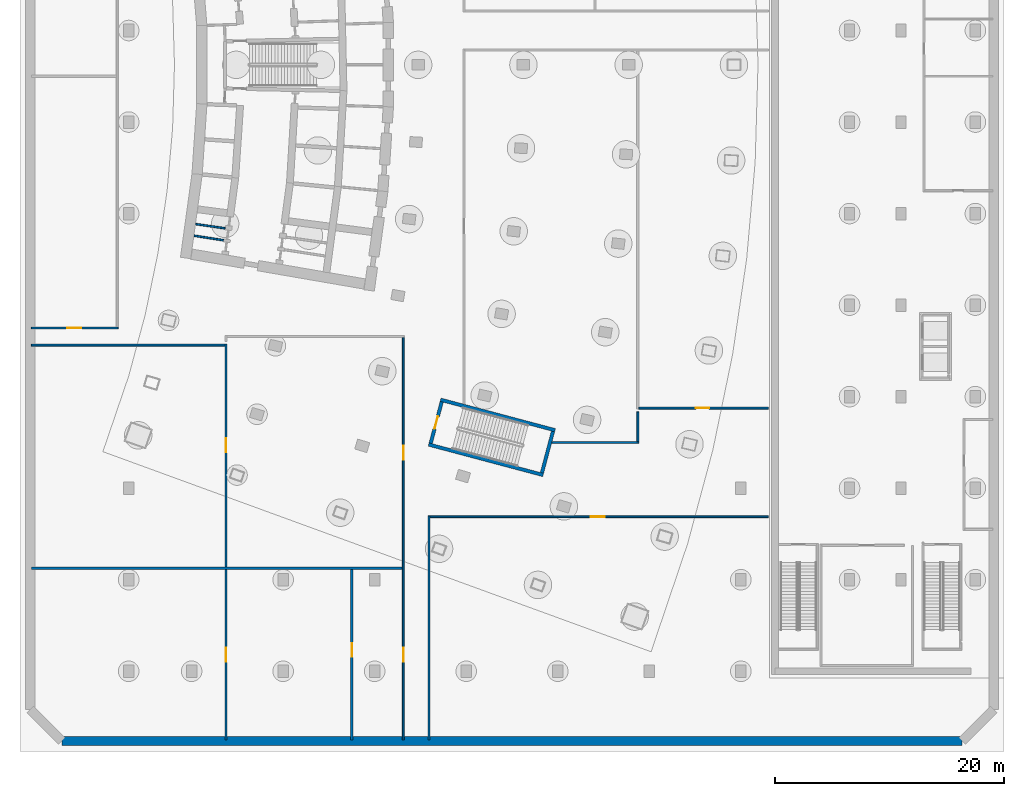
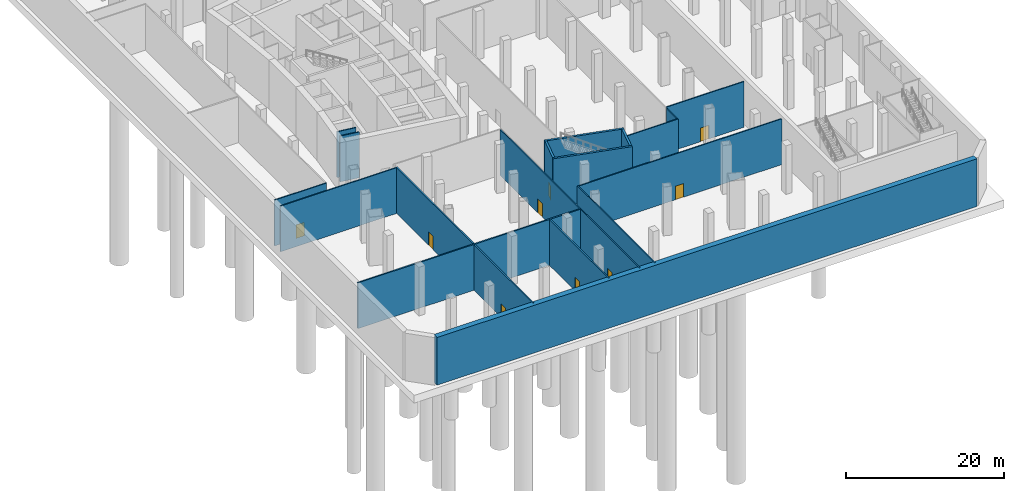
# One storey, part 3 of 19: 18 walls, 9 doors, 9 openings.
"""IFC4 building model written with IfcOpenShell, lengths in metres."""

from ifc_helpers import new_model, si_unit, direction, frame, frame_2d, origin, place, context, subcontext, project, spatial, rectangle, extrude, material, layer, layer_set, type_object, element, fill, save


model = new_model("IFC4")

# Units and contexts
model_context = context("Model", 3, precision=1e-05, world=origin(), true_north=direction((0.0, 1.0)))
body_context = subcontext(model_context, "Body", "Model", "MODEL_VIEW")
ifc_project = project(units=[si_unit("LENGTHUNIT", "METRE"), si_unit("AREAUNIT", "SQUARE_METRE"), si_unit("VOLUMEUNIT", "CUBIC_METRE"), si_unit("PLANEANGLEUNIT", "RADIAN"), si_unit("MASSUNIT", "GRAM", prefix="KILO")], contexts=[model_context])

# Site, building, storey
site_placement = place(None, origin())
site = spatial("IfcSite", under=ifc_project, at=site_placement, CompositionType="ELEMENT")
building_placement = place(site_placement, origin())
building = spatial("IfcBuilding", under=site, at=building_placement, Name="Alderwake Tower", CompositionType="ELEMENT")
storey_placement = place(building_placement, frame((0.0, 0.0, -14.0)))
storey = spatial("IfcBuildingStorey", under=building, at=storey_placement, Name="B2", CompositionType="ELEMENT", Elevation=-14.0)

# Walls
ifc_material_1 = material(Name="Concrete C50/60", Category="concrete")
ifc_layer_1 = layer(ifc_material_1, 0.800048828125)
ifc_layer_set_1 = layer_set([ifc_layer_1], Name="Basement retaining wall 800")
wall_type_1 = type_object("IfcWallType", Name="Basement retaining wall 800", PredefinedType="SOLIDWALL", material=ifc_layer_set_1)
wall_1_placement = place(storey_placement, frame((83.334228515625, 1.89990234375, -0.300048828125), z_axis=(0.0, 0.0, 1.0), x_axis=(-1.0, 0.0, 0.0)))
element("IfcWall", 1, at=wall_1_placement, inside=storey, type_object=wall_type_1, Name="Retaining wall 8", PredefinedType="SOLIDWALL", context=body_context, shape_type="SweptSolid", body=[
    extrude(rectangle(XDim=78.66845703125, YDim=0.800048828125, at=frame_2d((39.334228515625, 0.0))), origin(), (0.0, 0.0, 1.0), 7.35009765625),
])
ifc_material_2 = material(Name="Gypsum shaft wall system, rated")
ifc_layer_2 = layer(ifc_material_2, 0.14990234375)
ifc_layer_set_2 = layer_set([ifc_layer_2], Name="Core room partition 150")
wall_type_2 = type_object("IfcWallType", Name="Core room partition 150", PredefinedType="PARTITIONING", material=ifc_layer_set_2)
wall_2_placement = place(storey_placement, frame((16.2216796875, 46.0673828125, 0.0), z_axis=(0.0, 0.0, 1.0), x_axis=(0.988167260949, -0.153380130356, 0.0)))
element("IfcWall", 2, at=wall_2_placement, inside=storey, type_object=wall_type_2, Name="CW/B2/PR-161_+0", PredefinedType="PARTITIONING", context=body_context, shape_type="SweptSolid", body=[
    extrude(rectangle(XDim=2.593017578125, YDim=0.14990234375, at=frame_2d((1.29638671875, 0.0))), origin(), (0.0, 0.0, 1.0), 7.050048828125),
])
wall_3_placement = place(storey_placement, frame((16.361328125, 47.08203125, 0.0), z_axis=(0.0, 0.0, 1.0), x_axis=(0.989733250733, -0.142926877787, 0.0)))
element("IfcWall", 3, at=wall_3_placement, inside=storey, type_object=wall_type_2, Name="CW/B2/PR-150_+0", PredefinedType="PARTITIONING", context=body_context, shape_type="SweptSolid", body=[
    extrude(rectangle(XDim=2.587890625, YDim=0.14990234375, at=frame_2d((1.2939453125, 0.0))), origin(), (0.0, 0.0, 1.0), 7.050048828125),
])
ifc_material_3 = material(Name="Concrete C70/85", Category="concrete")
ifc_layer_3 = layer(ifc_material_3, 0.300048828125)
ifc_layer_set_3 = layer_set([ifc_layer_3], Name="Core wall stair enclosure 300 C70-85")
wall_type_3 = type_object("IfcWallType", Name="Core wall stair enclosure 300 C70-85", PredefinedType="SHEAR", material=ifc_layer_set_3)
for number, where, z_axis, x_axis, name in (
    (4, (37.75390625, 31.731201171875, 0.0), (0.0, 0.0, 1.0), (0.966309214305, -0.257383958996, 0.0), "Core wall CW.086"),
    (5, (36.71142578125, 27.817626953125, 0.0), (0.0, 0.0, 1.0), (0.966309214305, -0.257383958996, 0.0), "Core wall CW.088"),
):
    element("IfcWall", number, at=place(storey_placement, frame(where, z_axis=z_axis, x_axis=x_axis)), inside=storey, type_object=wall_type_3, Name=name, PredefinedType="SHEAR", context=body_context, shape_type="SweptSolid", body=[
        extrude(rectangle(XDim=10.360107421875, YDim=0.300048828125, at=frame_2d((5.18017578125, 0.0))), origin(), (0.0, 0.0, 1.0), 7.5),
    ])

# Wall, opening, door
wall_4_placement = place(storey_placement, frame((36.89501953125, 27.923828125, 0.0), z_axis=(0.0, 0.0, 1.0), x_axis=(0.257350630826, 0.966318090907, 0.0)))
wall_4 = element("IfcWall", 6, at=wall_4_placement, inside=storey, type_object=wall_type_3, Name="Core wall CW.087", PredefinedType="SHEAR", context=body_context, shape_type="SweptSolid", body=[
    extrude(rectangle(XDim=3.75, YDim=0.300048828125, at=frame_2d((1.875, 0.0))), origin(), (0.0, 0.0, 1.0), 7.5),
])
opening_1_placement = place(wall_4_placement, frame((1.324951171875, 0.0, 0.0)))
opening_1 = element("IfcOpeningElement", 7, at=opening_1_placement, cuts=wall_4, Name="Opening C065", PredefinedType="OPENING", context=body_context, shape_type="SweptSolid", body=[
    extrude(rectangle(XDim=1.10009765625, YDim=2.10009765625, at=frame_2d((0.550048828125, 1.050048828125))), frame((0.0, 0.159912109375, 0.0), z_axis=(0.0, -1.0, 0.0), x_axis=(1.0, 0.0, 0.0)), (0.0, 0.0, 1.0), 0.320068359375),
])
ifc_material_4 = material(Name="Steel-framed fire door leaf", Category="steel")
door_type_1 = type_object("IfcDoorType", Name="Core stair door 1100 fire-rated", OperationType="SINGLE_SWING_LEFT", PredefinedType="DOOR", material=ifc_material_4)
door_1_placement = place(opening_1_placement, origin())
door_1 = element("IfcDoor", 8, at=door_1_placement, inside=storey, type_object=door_type_1, Name="Stair door", OperationType="SINGLE_SWING_LEFT", OverallHeight=2.10009765625, OverallWidth=1.10009765625, PredefinedType="DOOR", context=body_context, shape_type="SweptSolid", body=[
    extrude(rectangle(XDim=1.10009765625, YDim=2.10009765625, at=frame_2d((0.550048828125, 1.050048828125))), frame((0.0, 0.02490234375, 0.0), z_axis=(0.0, -1.0, 0.0), x_axis=(1.0, 0.0, 0.0)), (0.0, 0.0, 1.0), 0.050048828125),
])
fill(opening_1, door_1)

# Walls
wall_5_placement = place(storey_placement, frame((46.6162109375, 25.334716796875, 0.0), z_axis=(0.0, 0.0, 1.0), x_axis=(0.257366821694, 0.966313778796, 0.0)))
element("IfcWall", 9, at=wall_5_placement, inside=storey, type_object=wall_type_3, Name="Core wall CW.085", PredefinedType="SHEAR", context=body_context, shape_type="SweptSolid", body=[
    extrude(rectangle(XDim=3.749755859375, YDim=0.300048828125, at=frame_2d((1.875, 0.0))), origin(), (0.0, 0.0, 1.0), 7.5),
])
ifc_material_5 = material(Name="Gypsum board on metal studs, rated")
ifc_layer_4 = layer(ifc_material_5, 0.159912109375)
ifc_layer_set_4 = layer_set([ifc_layer_4], Name="Corridor wall 160")
wall_type_4 = type_object("IfcWallType", Name="Corridor wall 160", PredefinedType="PARTITIONING", material=ifc_layer_set_4)
wall_6_placement = place(storey_placement, frame((2.0009765625, 36.5009765625, 0.0), z_axis=(0.0, 0.0, 1.0), x_axis=(1.0, 0.0, 0.0)))
element("IfcWall", 10, at=wall_6_placement, inside=storey, type_object=wall_type_4, Name="WL/B2/W33", PredefinedType="PARTITIONING", context=body_context, shape_type="SweptSolid", body=[
    extrude(rectangle(XDim=16.89794921875, YDim=0.159912109375, at=frame_2d((8.448974609375, 0.0))), origin(), (0.0, 0.0, 1.0), 7.050048828125),
])

# Wall, opening, door
wall_7_placement = place(storey_placement, frame((9.5810546875, 38.0009765625, 0.0), z_axis=(0.0, 0.0, 1.0), x_axis=(-1.0, 0.0, 0.0)))
wall_7 = element("IfcWall", 11, at=wall_7_placement, inside=storey, type_object=wall_type_4, Name="WL/B2/W35", PredefinedType="PARTITIONING", context=body_context, shape_type="SweptSolid", body=[
    extrude(rectangle(XDim=7.580078125, YDim=0.159912109375, at=frame_2d((3.7900390625, 0.0))), origin(), (0.0, 0.0, 1.0), 7.050048828125),
])
opening_2_placement = place(wall_7_placement, frame((3.23095703125, 0.0, 0.0)))
opening_2 = element("IfcOpeningElement", 12, at=opening_2_placement, cuts=wall_7, Name="Opening B2-30", PredefinedType="OPENING", context=body_context, shape_type="SweptSolid", body=[
    extrude(rectangle(XDim=1.199951171875, YDim=2.10009765625, at=frame_2d((0.60009765625, 1.050048828125))), frame((0.0, 0.08984375, 0.0), z_axis=(0.0, -1.0, 0.0), x_axis=(1.0, 0.0, 0.0)), (0.0, 0.0, 1.0), 0.179931640625),
])
ifc_material_6 = material(Name="Steel door leaf in steel frame", Category="steel")
door_type_2 = type_object("IfcDoorType", Name="Plant room door 1200 steel", OperationType="SINGLE_SWING_LEFT", PredefinedType="DOOR", material=ifc_material_6)
door_2_placement = place(opening_2_placement, origin())
door_2 = element("IfcDoor", 13, at=door_2_placement, inside=storey, type_object=door_type_2, Name="DR/B2/30", OperationType="SINGLE_SWING_LEFT", OverallHeight=2.10009765625, OverallWidth=1.199951171875, PredefinedType="DOOR", context=body_context, shape_type="SweptSolid", body=[
    extrude(rectangle(XDim=1.199951171875, YDim=2.10009765625, at=frame_2d((0.60009765625, 1.050048828125))), frame((0.0, 0.02490234375, 0.0), z_axis=(0.0, -1.0, 0.0), x_axis=(1.0, 0.0, 0.0)), (0.0, 0.0, 1.0), 0.050048828125),
])
fill(opening_2, door_2)

# Wall, openings, doors
wall_8_placement = place(storey_placement, frame((34.5, 37.1708984375, 0.0), z_axis=(0.0, 0.0, 1.0), x_axis=(0.0, -1.0, 0.0)))
wall_8 = element("IfcWall", 14, at=wall_8_placement, inside=storey, type_object=wall_type_4, Name="WL/B2/W41", PredefinedType="PARTITIONING", context=body_context, shape_type="SweptSolid", body=[
    extrude(rectangle(XDim=35.169921875, YDim=0.159912109375, at=frame_2d((17.5849609375, 0.0))), origin(), (0.0, 0.0, 1.0), 7.050048828125),
])
opening_3_placement = place(wall_8_placement, frame((27.12109375, 0.0, 0.0)))
opening_3 = element("IfcOpeningElement", 15, at=opening_3_placement, cuts=wall_8, Name="Opening B2-16", PredefinedType="OPENING", context=body_context, shape_type="SweptSolid", body=[
    extrude(rectangle(XDim=1.199951171875, YDim=2.10009765625, at=frame_2d((0.60009765625, 1.050048828125))), frame((0.0, 0.08984375, 0.0), z_axis=(0.0, -1.0, 0.0), x_axis=(1.0, 0.0, 0.0)), (0.0, 0.0, 1.0), 0.179931640625),
])
opening_4_placement = place(wall_8_placement, frame((9.470947265625, 0.0, 0.0)))
opening_4 = element("IfcOpeningElement", 16, at=opening_4_placement, cuts=wall_8, Name="Opening B2-18", PredefinedType="OPENING", context=body_context, shape_type="SweptSolid", body=[
    extrude(rectangle(XDim=1.199951171875, YDim=2.10009765625, at=frame_2d((0.60009765625, 1.050048828125))), frame((0.0, 0.08984375, 0.0), z_axis=(0.0, -1.0, 0.0), x_axis=(1.0, 0.0, 0.0)), (0.0, 0.0, 1.0), 0.179931640625),
])
door_3_placement = place(opening_3_placement, origin())
door_3 = element("IfcDoor", 17, at=door_3_placement, inside=storey, type_object=door_type_2, Name="DR/B2/16", OperationType="SINGLE_SWING_LEFT", OverallHeight=2.10009765625, OverallWidth=1.199951171875, PredefinedType="DOOR", context=body_context, shape_type="SweptSolid", body=[
    extrude(rectangle(XDim=1.199951171875, YDim=2.10009765625, at=frame_2d((0.60009765625, 1.050048828125))), frame((0.0, 0.02490234375, 0.0), z_axis=(0.0, -1.0, 0.0), x_axis=(1.0, 0.0, 0.0)), (0.0, 0.0, 1.0), 0.050048828125),
])
fill(opening_3, door_3)
door_4_placement = place(opening_4_placement, origin())
door_4 = element("IfcDoor", 18, at=door_4_placement, inside=storey, type_object=door_type_2, Name="DR/B2/18", OperationType="SINGLE_SWING_LEFT", OverallHeight=2.10009765625, OverallWidth=1.199951171875, PredefinedType="DOOR", context=body_context, shape_type="SweptSolid", body=[
    extrude(rectangle(XDim=1.199951171875, YDim=2.10009765625, at=frame_2d((0.60009765625, 1.050048828125))), frame((0.0, 0.02490234375, 0.0), z_axis=(0.0, -1.0, 0.0), x_axis=(1.0, 0.0, 0.0)), (0.0, 0.0, 1.0), 0.050048828125),
])
fill(opening_4, door_4)

# Wall
wall_9_placement = place(storey_placement, frame((36.75, 2.0009765625, 0.0), z_axis=(0.0, 0.0, 1.0), x_axis=(0.0, 1.0, 0.0)))
element("IfcWall", 19, at=wall_9_placement, inside=storey, type_object=wall_type_4, Name="WL/B2/W44", PredefinedType="PARTITIONING", context=body_context, shape_type="SweptSolid", body=[
    extrude(rectangle(XDim=19.580078125, YDim=0.159912109375, at=frame_2d((9.7900390625, 0.0))), origin(), (0.0, 0.0, 1.0), 7.050048828125),
])

# Wall, opening, door
wall_10_placement = place(storey_placement, frame((36.830078125, 21.5009765625, 0.0), z_axis=(0.0, 0.0, 1.0), x_axis=(1.0, 0.0, 0.0)))
wall_10 = element("IfcWall", 20, at=wall_10_placement, inside=storey, type_object=wall_type_4, Name="WL/B2/W45", PredefinedType="PARTITIONING", context=body_context, shape_type="SweptSolid", body=[
    extrude(rectangle(XDim=29.56884765625, YDim=0.159912109375, at=frame_2d((14.784423828125, 0.0))), origin(), (0.0, 0.0, 1.0), 7.050048828125),
])
opening_5_placement = place(wall_10_placement, frame((14.070068359375, 0.0, 0.0)))
opening_5 = element("IfcOpeningElement", 21, at=opening_5_placement, cuts=wall_10, Name="Opening B2-23", PredefinedType="OPENING", context=body_context, shape_type="SweptSolid", body=[
    extrude(rectangle(XDim=1.199951171875, YDim=2.10009765625, at=frame_2d((0.60009765625, 1.050048828125))), frame((0.0, 0.08984375, 0.0), z_axis=(0.0, -1.0, 0.0), x_axis=(1.0, 0.0, 0.0)), (0.0, 0.0, 1.0), 0.179931640625),
])
door_5_placement = place(opening_5_placement, origin())
door_5 = element("IfcDoor", 22, at=door_5_placement, inside=storey, type_object=door_type_2, Name="DR/B2/23", OperationType="SINGLE_SWING_LEFT", OverallHeight=2.10009765625, OverallWidth=1.199951171875, PredefinedType="DOOR", context=body_context, shape_type="SweptSolid", body=[
    extrude(rectangle(XDim=1.199951171875, YDim=2.10009765625, at=frame_2d((0.60009765625, 1.050048828125))), frame((0.0, 0.02490234375, 0.0), z_axis=(0.0, -1.0, 0.0), x_axis=(1.0, 0.0, 0.0)), (0.0, 0.0, 1.0), 0.050048828125),
])
fill(opening_5, door_5)

# Walls
wall_11_placement = place(storey_placement, frame((55.0791015625, 27.9990234375, 0.0), z_axis=(0.0, 0.0, 1.0), x_axis=(-1.0, 0.0, 0.0)))
element("IfcWall", 23, at=wall_11_placement, inside=storey, type_object=wall_type_4, Name="WL/B2/W54", PredefinedType="PARTITIONING", context=body_context, shape_type="SweptSolid", body=[
    extrude(rectangle(XDim=7.59814453125, YDim=0.159912109375, at=frame_2d((3.799072265625, 0.0))), origin(), (0.0, 0.0, 1.0), 7.050048828125),
])
wall_12_placement = place(storey_placement, frame((54.9990234375, 30.665771484375, 0.0), z_axis=(0.0, 0.0, 1.0), x_axis=(0.0, -1.0, 0.0)))
element("IfcWall", 24, at=wall_12_placement, inside=storey, type_object=wall_type_4, Name="WL/B2/W55", PredefinedType="PARTITIONING", context=body_context, shape_type="SweptSolid", body=[
    extrude(rectangle(XDim=2.586669921875, YDim=0.159912109375, at=frame_2d((1.29345703125, 0.0))), origin(), (0.0, 0.0, 1.0), 7.050048828125),
])

# Wall, opening, door
wall_13_placement = place(storey_placement, frame((66.39892578125, 30.9990234375, 0.0), z_axis=(0.0, 0.0, 1.0), x_axis=(-1.0, 0.0, 0.0)))
wall_13 = element("IfcWall", 25, at=wall_13_placement, inside=storey, type_object=wall_type_4, Name="WL/B2/W56", PredefinedType="PARTITIONING", context=body_context, shape_type="SweptSolid", body=[
    extrude(rectangle(XDim=11.2998046875, YDim=0.159912109375, at=frame_2d((5.64990234375, 0.0))), origin(), (0.0, 0.0, 1.0), 7.050048828125),
])
opening_6_placement = place(wall_13_placement, frame((5.14892578125, 0.0, 0.0)))
opening_6 = element("IfcOpeningElement", 26, at=opening_6_placement, cuts=wall_13, Name="Opening B2-25", PredefinedType="OPENING", context=body_context, shape_type="SweptSolid", body=[
    extrude(rectangle(XDim=1.199951171875, YDim=2.10009765625, at=frame_2d((0.60009765625, 1.050048828125))), frame((0.0, 0.08984375, 0.0), z_axis=(0.0, -1.0, 0.0), x_axis=(1.0, 0.0, 0.0)), (0.0, 0.0, 1.0), 0.179931640625),
])
door_6_placement = place(opening_6_placement, origin())
door_6 = element("IfcDoor", 27, at=door_6_placement, inside=storey, type_object=door_type_2, Name="DR/B2/25", OperationType="SINGLE_SWING_LEFT", OverallHeight=2.10009765625, OverallWidth=1.199951171875, PredefinedType="DOOR", context=body_context, shape_type="SweptSolid", body=[
    extrude(rectangle(XDim=1.199951171875, YDim=2.10009765625, at=frame_2d((0.60009765625, 1.050048828125))), frame((0.0, 0.02490234375, 0.0), z_axis=(0.0, -1.0, 0.0), x_axis=(1.0, 0.0, 0.0)), (0.0, 0.0, 1.0), 0.050048828125),
])
fill(opening_6, door_6)

# Wall
ifc_material_7 = material(Name="Dense block masonry wall", Category="masonry")
ifc_layer_5 = layer(ifc_material_7, 0.199951171875)
ifc_layer_set_5 = layer_set([ifc_layer_5], Name="Party wall 200")
wall_type_5 = type_object("IfcWallType", Name="Party wall 200", PredefinedType="SOLIDWALL", material=ifc_layer_set_5)
wall_14_placement = place(storey_placement, frame((2.0009765625, 17.0009765625, 0.0), z_axis=(0.0, 0.0, 1.0), x_axis=(1.0, 0.0, 0.0)))
element("IfcWall", 28, at=wall_14_placement, inside=storey, type_object=wall_type_5, Name="WL/B2/W01", PredefinedType="SOLIDWALL", context=body_context, shape_type="SweptSolid", body=[
    extrude(rectangle(XDim=32.4189453125, YDim=0.199951171875, at=frame_2d((16.20947265625, 0.0))), origin(), (0.0, 0.0, 1.0), 7.050048828125),
])

# Wall, openings, doors
wall_15_placement = place(storey_placement, frame((18.9990234375, 36.5810546875, 0.0), z_axis=(0.0, 0.0, 1.0), x_axis=(0.0, -1.0, 0.0)))
wall_15 = element("IfcWall", 29, at=wall_15_placement, inside=storey, type_object=wall_type_5, Name="WL/B2/W03", PredefinedType="SOLIDWALL", context=body_context, shape_type="SweptSolid", body=[
    extrude(rectangle(XDim=34.580078125, YDim=0.199951171875, at=frame_2d((17.2900390625, 0.0))), origin(), (0.0, 0.0, 1.0), 7.050048828125),
])
opening_7_placement = place(wall_15_placement, frame((26.531005859375, 0.0, 0.0)))
opening_7 = element("IfcOpeningElement", 30, at=opening_7_placement, cuts=wall_15, Name="Opening B2-14", PredefinedType="OPENING", context=body_context, shape_type="SweptSolid", body=[
    extrude(rectangle(XDim=1.199951171875, YDim=2.10009765625, at=frame_2d((0.60009765625, 1.050048828125))), frame((0.0, 0.10986328125, 0.0), z_axis=(0.0, -1.0, 0.0), x_axis=(1.0, 0.0, 0.0)), (0.0, 0.0, 1.0), 0.219970703125),
])
opening_8_placement = place(wall_15_placement, frame((8.23095703125, 0.0, 0.0)))
opening_8 = element("IfcOpeningElement", 31, at=opening_8_placement, cuts=wall_15, Name="Opening B2-17", PredefinedType="OPENING", context=body_context, shape_type="SweptSolid", body=[
    extrude(rectangle(XDim=1.199951171875, YDim=2.10009765625, at=frame_2d((0.60009765625, 1.050048828125))), frame((0.0, 0.10986328125, 0.0), z_axis=(0.0, -1.0, 0.0), x_axis=(1.0, 0.0, 0.0)), (0.0, 0.0, 1.0), 0.219970703125),
])
door_7_placement = place(opening_7_placement, origin())
door_7 = element("IfcDoor", 32, at=door_7_placement, inside=storey, type_object=door_type_2, Name="DR/B2/14", OperationType="SINGLE_SWING_LEFT", OverallHeight=2.10009765625, OverallWidth=1.199951171875, PredefinedType="DOOR", context=body_context, shape_type="SweptSolid", body=[
    extrude(rectangle(XDim=1.199951171875, YDim=2.10009765625, at=frame_2d((0.60009765625, 1.050048828125))), frame((0.0, 0.02490234375, 0.0), z_axis=(0.0, -1.0, 0.0), x_axis=(1.0, 0.0, 0.0)), (0.0, 0.0, 1.0), 0.050048828125),
])
fill(opening_7, door_7)
door_8_placement = place(opening_8_placement, origin())
door_8 = element("IfcDoor", 33, at=door_8_placement, inside=storey, type_object=door_type_2, Name="DR/B2/17", OperationType="SINGLE_SWING_LEFT", OverallHeight=2.10009765625, OverallWidth=1.199951171875, PredefinedType="DOOR", context=body_context, shape_type="SweptSolid", body=[
    extrude(rectangle(XDim=1.199951171875, YDim=2.10009765625, at=frame_2d((0.60009765625, 1.050048828125))), frame((0.0, 0.02490234375, 0.0), z_axis=(0.0, -1.0, 0.0), x_axis=(1.0, 0.0, 0.0)), (0.0, 0.0, 1.0), 0.050048828125),
])
fill(opening_8, door_8)

# Wall, opening, door
wall_16_placement = place(storey_placement, frame((30.0, 16.90087890625, 0.0), z_axis=(0.0, 0.0, 1.0), x_axis=(0.0, -1.0, 0.0)))
wall_16 = element("IfcWall", 34, at=wall_16_placement, inside=storey, type_object=wall_type_5, Name="WL/B2/W06", PredefinedType="SOLIDWALL", context=body_context, shape_type="SweptSolid", body=[
    extrude(rectangle(XDim=14.89990234375, YDim=0.199951171875, at=frame_2d((7.449951171875, 0.0))), origin(), (0.0, 0.0, 1.0), 7.050048828125),
])
opening_9_placement = place(wall_16_placement, frame((6.450927734375, 0.0, 0.0)))
opening_9 = element("IfcOpeningElement", 35, at=opening_9_placement, cuts=wall_16, Name="Opening B2-15", PredefinedType="OPENING", context=body_context, shape_type="SweptSolid", body=[
    extrude(rectangle(XDim=1.199951171875, YDim=2.10009765625, at=frame_2d((0.60009765625, 1.050048828125))), frame((0.0, 0.10986328125, 0.0), z_axis=(0.0, -1.0, 0.0), x_axis=(1.0, 0.0, 0.0)), (0.0, 0.0, 1.0), 0.219970703125),
])
door_9_placement = place(opening_9_placement, origin())
door_9 = element("IfcDoor", 36, at=door_9_placement, inside=storey, type_object=door_type_2, Name="DR/B2/15", OperationType="SINGLE_SWING_LEFT", OverallHeight=2.10009765625, OverallWidth=1.199951171875, PredefinedType="DOOR", context=body_context, shape_type="SweptSolid", body=[
    extrude(rectangle(XDim=1.199951171875, YDim=2.10009765625, at=frame_2d((0.60009765625, 1.050048828125))), frame((0.0, 0.02490234375, 0.0), z_axis=(0.0, -1.0, 0.0), x_axis=(1.0, 0.0, 0.0)), (0.0, 0.0, 1.0), 0.050048828125),
])
fill(opening_9, door_9)

save(model, "model.ifc")
